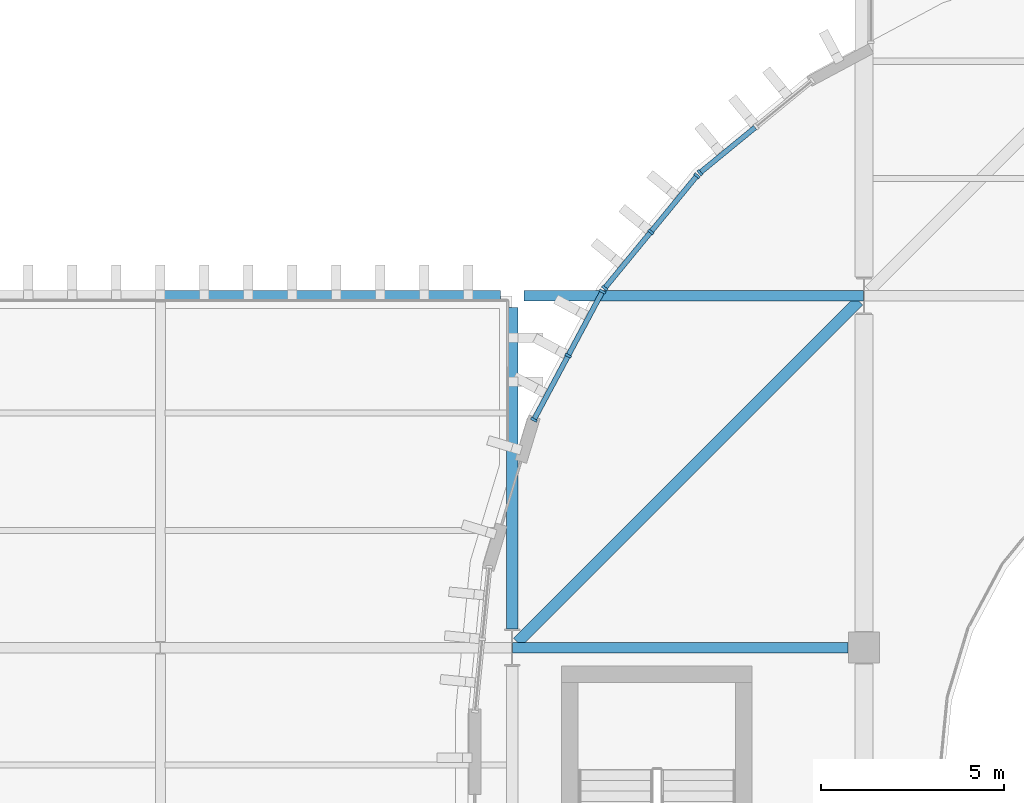
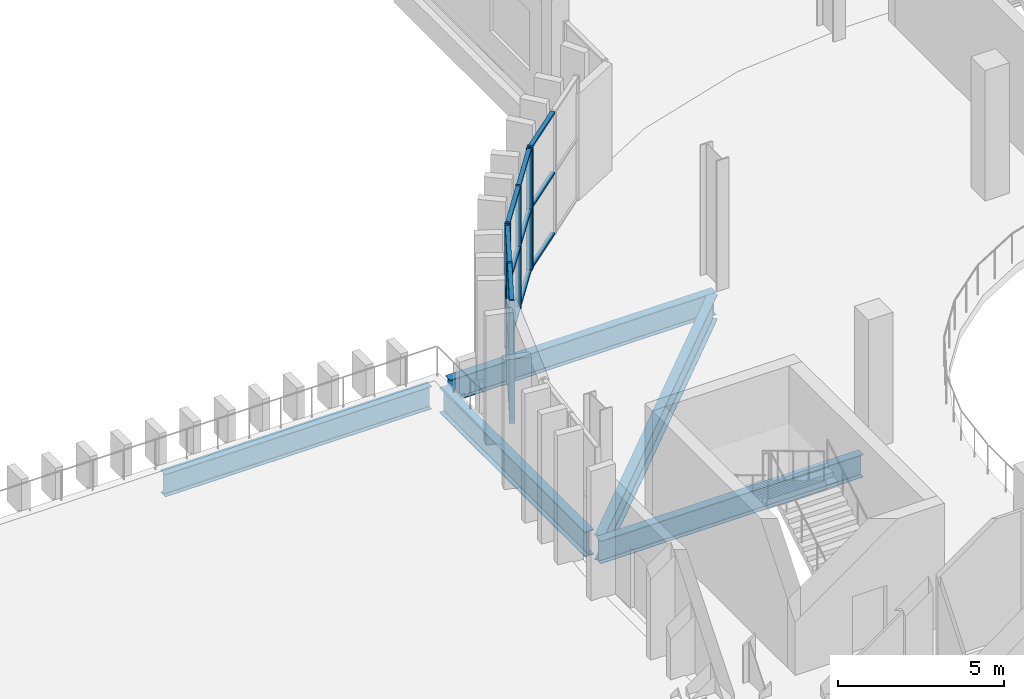
# One storey, part 31 of 99: 22 members, 5 beams, 3 elements without a shape of their own.
"""IFC4 building model written with IfcOpenShell, lengths in metres."""

from ifc_helpers import new_model, si_unit, direction, frame, origin, origin_2d, place, context, subcontext, project, spatial, rectangle, i_section, extrude, material, layer, layer_set, material_profile, profile_set, type_object, element, aggregate, save


model = new_model("IFC4")

# Units and contexts
model_context = context("Model", 3, precision=1e-05, world=origin(), true_north=direction((0.0, 1.0)))
body_context = subcontext(model_context, "Body", "Model", "MODEL_VIEW")
ifc_project = project(units=[si_unit("LENGTHUNIT", "METRE"), si_unit("AREAUNIT", "SQUARE_METRE"), si_unit("VOLUMEUNIT", "CUBIC_METRE"), si_unit("PLANEANGLEUNIT", "RADIAN"), si_unit("MASSUNIT", "GRAM", prefix="KILO")], contexts=[model_context])

# Site, building, storey
site_placement = place(None, origin())
site = spatial("IfcSite", under=ifc_project, at=site_placement, CompositionType="ELEMENT")
building_placement = place(site_placement, origin())
building = spatial("IfcBuilding", under=site, at=building_placement, Name="Caelomonte Colonnade Arena", CompositionType="ELEMENT")
storey_placement = place(building_placement, frame((0.0, 0.0, 4.800048828125)))
storey = spatial("IfcBuildingStorey", under=building, at=storey_placement, Name="L01", CompositionType="ELEMENT", Elevation=4.800048828125)

# Curtain wall, member
ifc_material_1 = material(Name="Bronze anodised aluminium and low-E glazing", Category="aluminium")
ifc_layer = layer(ifc_material_1, 0.179931640625)
ifc_layer_set = layer_set([ifc_layer], Name="Bronze anodised aluminium and low-E glazing")
curtain_wall_type = type_object("IfcCurtainWallType", Name="ENV-CW-CW-L01-44-45", PredefinedType="USERDEFINED", material=ifc_layer_set)
curtain_wall_1_placement = place(storey_placement, origin())
curtain_wall_1 = element("IfcCurtainWall", 1, at=curtain_wall_1_placement, inside=storey, type_object=curtain_wall_type, Name="L01 unitized curtain wall CW-L01-0643-1102", ObjectType="UNITIZED CURTAIN WALL", PredefinedType="USERDEFINED")
ifc_material_2 = material(Name="Bronze anodised aluminium AA6063-T6", Category="aluminium")
ifc_material_profile_1 = material_profile(ifc_material_2, rectangle(XDim=0.070068359375, YDim=0.179931640625, at=origin_2d()), Name="CWM-70X180")
ifc_profile_set_1 = profile_set([ifc_material_profile_1], Name="Bronze anodised aluminium AA6063-T6")
member_type_1 = type_object("IfcMemberType", Name="ENV-CW-MULL1", PredefinedType="MULLION", material=ifc_profile_set_1)
member_1_placement = place(storey_placement, frame((62.722900390625, 108.95751953125, 0.0), z_axis=(0.0, 0.0, 1.0), x_axis=(-0.772991751994, -0.634416071163, 0.0)))
member_1 = element("IfcMember", 2, at=member_1_placement, type_object=member_type_1, Name="CW-L01-44-45 mullion 3", PredefinedType="MULLION", context=body_context, shape_type="SweptSolid", body=[
    extrude(rectangle(XDim=0.070068359375, YDim=0.179931640625, at=origin_2d()), origin(), (0.0, 0.0, 1.0), 4.52001953125),
])

# Curtain wall, members
curtain_wall_2_placement = place(storey_placement, origin())
curtain_wall_2 = element("IfcCurtainWall", 3, at=curtain_wall_2_placement, inside=storey, type_object=curtain_wall_type, Name="L01 unitized curtain wall CW-L01-0614-1073", ObjectType="UNITIZED CURTAIN WALL", PredefinedType="USERDEFINED")
member_2_placement = place(storey_placement, frame((62.642333984375, 108.876953125, 0.0), z_axis=(0.0, 0.0, 1.0), x_axis=(-0.634416071163, -0.772991751994, 0.0)))
member_2 = element("IfcMember", 4, at=member_2_placement, type_object=member_type_1, Name="CW-L01-44-45 mullion 1", PredefinedType="MULLION", context=body_context, shape_type="SweptSolid", body=[
    extrude(rectangle(XDim=0.070068359375, YDim=0.179931640625, at=origin_2d()), origin(), (0.0, 0.0, 1.0), 4.52001953125),
])
member_3_placement = place(storey_placement, frame((61.384033203125, 107.343994140625, 0.0), z_axis=(0.0, 0.0, 1.0), x_axis=(-0.634416071163, -0.772991751994, 0.0)))
member_3 = element("IfcMember", 5, at=member_3_placement, type_object=member_type_1, Name="CW-L01-44-45 mullion 2", PredefinedType="MULLION", context=body_context, shape_type="SweptSolid", body=[
    extrude(rectangle(XDim=0.070068359375, YDim=0.179931640625, at=origin_2d()), origin(), (0.0, 0.0, 1.0), 4.52001953125),
])
member_4_placement = place(storey_placement, frame((60.125732421875, 105.810791015625, 0.0), z_axis=(0.0, 0.0, 1.0), x_axis=(-0.634416071163, -0.772991751994, 0.0)))
member_4 = element("IfcMember", 6, at=member_4_placement, type_object=member_type_1, Name="CW-L01-44-45 mullion 3", PredefinedType="MULLION", context=body_context, shape_type="SweptSolid", body=[
    extrude(rectangle(XDim=0.070068359375, YDim=0.179931640625, at=origin_2d()), origin(), (0.0, 0.0, 1.0), 4.52001953125),
])

curtain_wall_3_placement = place(storey_placement, origin())
curtain_wall_3 = element("IfcCurtainWall", 7, at=curtain_wall_3_placement, inside=storey, type_object=curtain_wall_type, Name="L01 unitized curtain wall CW-L01-0591-1040", ObjectType="UNITIZED CURTAIN WALL", PredefinedType="USERDEFINED")
member_5_placement = place(storey_placement, frame((60.0625, 105.716064453125, 0.0), z_axis=(0.0, 0.0, 1.0), x_axis=(-0.471394212466, -0.881922613642, 0.0)))
member_5 = element("IfcMember", 8, at=member_5_placement, type_object=member_type_1, Name="CW-L01-44-45 mullion 1", PredefinedType="MULLION", context=body_context, shape_type="SweptSolid", body=[
    extrude(rectangle(XDim=0.070068359375, YDim=0.179931640625, at=origin_2d()), origin(), (0.0, 0.0, 1.0), 4.52001953125),
])
member_6_placement = place(storey_placement, frame((59.12744140625, 103.966796875, 0.0), z_axis=(0.0, 0.0, 1.0), x_axis=(-0.471394212466, -0.881922613642, 0.0)))
member_6 = element("IfcMember", 9, at=member_6_placement, type_object=member_type_1, Name="CW-L01-44-45 mullion 2", PredefinedType="MULLION", context=body_context, shape_type="SweptSolid", body=[
    extrude(rectangle(XDim=0.070068359375, YDim=0.179931640625, at=origin_2d()), origin(), (0.0, 0.0, 1.0), 4.52001953125),
])
member_7_placement = place(storey_placement, frame((58.192626953125, 102.2177734375, 0.0), z_axis=(0.0, 0.0, 1.0), x_axis=(-0.471394212466, -0.881922613642, 0.0)))
member_7 = element("IfcMember", 10, at=member_7_placement, type_object=member_type_1, Name="CW-L01-44-45 mullion 3", PredefinedType="MULLION", context=body_context, shape_type="SweptSolid", body=[
    extrude(rectangle(XDim=0.070068359375, YDim=0.179931640625, at=origin_2d()), origin(), (0.0, 0.0, 1.0), 4.52001953125),
])

# Member
ifc_material_profile_2 = material_profile(ifc_material_2, rectangle(XDim=0.070068359375, YDim=0.139892578125, at=origin_2d()), Name="CWT-70X140")
ifc_profile_set_2 = profile_set([ifc_material_profile_2], Name="Bronze anodised aluminium AA6063-T6")
member_type_2 = type_object("IfcMemberType", Name="ENV-CW-TRAN1", PredefinedType="USERDEFINED", material=ifc_profile_set_2)
member_8_placement = place(storey_placement, frame((64.22900390625, 110.193603515625, 0.034912109375), z_axis=(-0.772989936128, -0.634418283662, 0.0), x_axis=(0.0, 0.0, 1.0)))
member_8 = element("IfcMember", 11, at=member_8_placement, type_object=member_type_2, Name="CW-L01-44-45 transom 2.1", ObjectType="TRANSOM", PredefinedType="USERDEFINED", context=body_context, shape_type="SweptSolid", body=[
    extrude(rectangle(XDim=0.070068359375, YDim=0.139892578125, at=origin_2d()), origin(), (0.0, 0.0, 1.0), 1.913330078125),
])

member_9_placement = place(storey_placement, frame((64.22900390625, 110.193603515625, 2.260009765625), z_axis=(-0.772989936128, -0.634418283662, 0.0), x_axis=(0.0, 0.0, 1.0)))
member_9 = element("IfcMember", 12, at=member_9_placement, type_object=member_type_2, Name="CW-L01-44-45 transom 2.2", ObjectType="TRANSOM", PredefinedType="USERDEFINED", context=body_context, shape_type="SweptSolid", body=[
    extrude(rectangle(XDim=0.070068359375, YDim=0.139892578125, at=origin_2d()), origin(), (0.0, 0.0, 1.0), 1.913330078125),
])

member_10_placement = place(storey_placement, frame((64.22900390625, 110.193603515625, 4.48486328125), z_axis=(-0.772989936128, -0.634418283662, 0.0), x_axis=(0.0, 0.0, 1.0)))
member_10 = element("IfcMember", 13, at=member_10_placement, type_object=member_type_2, Name="CW-L01-44-45 transom 2.3", ObjectType="TRANSOM", PredefinedType="USERDEFINED", context=body_context, shape_type="SweptSolid", body=[
    extrude(rectangle(XDim=0.070068359375, YDim=0.139892578125, at=origin_2d()), origin(), (0.0, 0.0, 1.0), 1.913330078125),
])

aggregate(curtain_wall_1, [member_1, member_8, member_9, member_10])

member_11_placement = place(storey_placement, frame((62.6201171875, 108.85009765625, 0.034912109375), z_axis=(-0.634355713729, -0.773041285094, 0.0), x_axis=(0.0, 0.0, 1.0)))
member_11 = element("IfcMember", 14, at=member_11_placement, type_object=member_type_2, Name="CW-L01-44-45 transom 1.1", ObjectType="TRANSOM", PredefinedType="USERDEFINED", context=body_context, shape_type="SweptSolid", body=[
    extrude(rectangle(XDim=0.070068359375, YDim=0.139892578125, at=origin_2d()), origin(), (0.0, 0.0, 1.0), 1.91357421875),
])

member_12_placement = place(storey_placement, frame((62.6201171875, 108.85009765625, 2.260009765625), z_axis=(-0.634355713729, -0.773041285094, 0.0), x_axis=(0.0, 0.0, 1.0)))
member_12 = element("IfcMember", 15, at=member_12_placement, type_object=member_type_2, Name="CW-L01-44-45 transom 1.2", ObjectType="TRANSOM", PredefinedType="USERDEFINED", context=body_context, shape_type="SweptSolid", body=[
    extrude(rectangle(XDim=0.070068359375, YDim=0.139892578125, at=origin_2d()), origin(), (0.0, 0.0, 1.0), 1.91357421875),
])

member_13_placement = place(storey_placement, frame((62.6201171875, 108.85009765625, 4.48486328125), z_axis=(-0.634355713729, -0.773041285094, 0.0), x_axis=(0.0, 0.0, 1.0)))
member_13 = element("IfcMember", 16, at=member_13_placement, type_object=member_type_2, Name="CW-L01-44-45 transom 1.3", ObjectType="TRANSOM", PredefinedType="USERDEFINED", context=body_context, shape_type="SweptSolid", body=[
    extrude(rectangle(XDim=0.070068359375, YDim=0.139892578125, at=origin_2d()), origin(), (0.0, 0.0, 1.0), 1.91357421875),
])

member_14_placement = place(storey_placement, frame((61.36181640625, 107.31689453125, 0.034912109375), z_axis=(-0.634418283662, -0.772989936128, 0.0), x_axis=(0.0, 0.0, 1.0)))
member_14 = element("IfcMember", 17, at=member_14_placement, type_object=member_type_2, Name="CW-L01-44-45 transom 2.1", ObjectType="TRANSOM", PredefinedType="USERDEFINED", context=body_context, shape_type="SweptSolid", body=[
    extrude(rectangle(XDim=0.070068359375, YDim=0.139892578125, at=origin_2d()), origin(), (0.0, 0.0, 1.0), 1.913330078125),
])

member_15_placement = place(storey_placement, frame((61.36181640625, 107.31689453125, 2.260009765625), z_axis=(-0.634418283662, -0.772989936128, 0.0), x_axis=(0.0, 0.0, 1.0)))
member_15 = element("IfcMember", 18, at=member_15_placement, type_object=member_type_2, Name="CW-L01-44-45 transom 2.2", ObjectType="TRANSOM", PredefinedType="USERDEFINED", context=body_context, shape_type="SweptSolid", body=[
    extrude(rectangle(XDim=0.070068359375, YDim=0.139892578125, at=origin_2d()), origin(), (0.0, 0.0, 1.0), 1.913330078125),
])

member_16_placement = place(storey_placement, frame((61.36181640625, 107.31689453125, 4.48486328125), z_axis=(-0.634418283662, -0.772989936128, 0.0), x_axis=(0.0, 0.0, 1.0)))
member_16 = element("IfcMember", 19, at=member_16_placement, type_object=member_type_2, Name="CW-L01-44-45 transom 2.3", ObjectType="TRANSOM", PredefinedType="USERDEFINED", context=body_context, shape_type="SweptSolid", body=[
    extrude(rectangle(XDim=0.070068359375, YDim=0.139892578125, at=origin_2d()), origin(), (0.0, 0.0, 1.0), 1.913330078125),
])

aggregate(curtain_wall_2, [member_2, member_3, member_4, member_11, member_12, member_13, member_14, member_15, member_16])

member_17_placement = place(storey_placement, frame((60.0458984375, 105.68505859375, 0.034912109375), z_axis=(-0.471396095589, -0.881921607096, 0.0), x_axis=(0.0, 0.0, 1.0)))
member_17 = element("IfcMember", 20, at=member_17_placement, type_object=member_type_2, Name="CW-L01-44-45 transom 1.1", ObjectType="TRANSOM", PredefinedType="USERDEFINED", context=body_context, shape_type="SweptSolid", body=[
    extrude(rectangle(XDim=0.070068359375, YDim=0.139892578125, at=origin_2d()), origin(), (0.0, 0.0, 1.0), 1.9130859375),
])

member_18_placement = place(storey_placement, frame((60.0458984375, 105.68505859375, 2.260009765625), z_axis=(-0.471396095589, -0.881921607096, 0.0), x_axis=(0.0, 0.0, 1.0)))
member_18 = element("IfcMember", 21, at=member_18_placement, type_object=member_type_2, Name="CW-L01-44-45 transom 1.2", ObjectType="TRANSOM", PredefinedType="USERDEFINED", context=body_context, shape_type="SweptSolid", body=[
    extrude(rectangle(XDim=0.070068359375, YDim=0.139892578125, at=origin_2d()), origin(), (0.0, 0.0, 1.0), 1.9130859375),
])

member_19_placement = place(storey_placement, frame((60.0458984375, 105.68505859375, 4.48486328125), z_axis=(-0.471396095589, -0.881921607096, 0.0), x_axis=(0.0, 0.0, 1.0)))
member_19 = element("IfcMember", 22, at=member_19_placement, type_object=member_type_2, Name="CW-L01-44-45 transom 1.3", ObjectType="TRANSOM", PredefinedType="USERDEFINED", context=body_context, shape_type="SweptSolid", body=[
    extrude(rectangle(XDim=0.070068359375, YDim=0.139892578125, at=origin_2d()), origin(), (0.0, 0.0, 1.0), 1.9130859375),
])

member_20_placement = place(storey_placement, frame((59.111083984375, 103.93603515625, 0.034912109375), z_axis=(-0.471442288799, -0.881896914799, 0.0), x_axis=(0.0, 0.0, 1.0)))
member_20 = element("IfcMember", 23, at=member_20_placement, type_object=member_type_2, Name="CW-L01-44-45 transom 2.1", ObjectType="TRANSOM", PredefinedType="USERDEFINED", context=body_context, shape_type="SweptSolid", body=[
    extrude(rectangle(XDim=0.070068359375, YDim=0.139892578125, at=origin_2d()), origin(), (0.0, 0.0, 1.0), 1.91357421875),
])

member_21_placement = place(storey_placement, frame((59.111083984375, 103.93603515625, 2.260009765625), z_axis=(-0.471442288799, -0.881896914799, 0.0), x_axis=(0.0, 0.0, 1.0)))
member_21 = element("IfcMember", 24, at=member_21_placement, type_object=member_type_2, Name="CW-L01-44-45 transom 2.2", ObjectType="TRANSOM", PredefinedType="USERDEFINED", context=body_context, shape_type="SweptSolid", body=[
    extrude(rectangle(XDim=0.070068359375, YDim=0.139892578125, at=origin_2d()), origin(), (0.0, 0.0, 1.0), 1.91357421875),
])

member_22_placement = place(storey_placement, frame((59.111083984375, 103.93603515625, 4.48486328125), z_axis=(-0.471442288799, -0.881896914799, 0.0), x_axis=(0.0, 0.0, 1.0)))
member_22 = element("IfcMember", 25, at=member_22_placement, type_object=member_type_2, Name="CW-L01-44-45 transom 2.3", ObjectType="TRANSOM", PredefinedType="USERDEFINED", context=body_context, shape_type="SweptSolid", body=[
    extrude(rectangle(XDim=0.070068359375, YDim=0.139892578125, at=origin_2d()), origin(), (0.0, 0.0, 1.0), 1.91357421875),
])

aggregate(curtain_wall_3, [member_5, member_6, member_7, member_17, member_18, member_19, member_20, member_21, member_22])

# Beams
ifc_material_3 = material(Name="Wide-flange steel ASTM A992 Grade 50", Category="steel")
ifc_material_profile_3 = material_profile(ifc_material_3, i_section(OverallWidth=0.307861328125, OverallDepth=0.927001953125, WebThickness=0.019287109375, FlangeThickness=0.031982421875, FilletRadius=0.020263671875, at=origin_2d()), Name="W36X194")
ifc_profile_set_3 = profile_set([ifc_material_profile_3], Name="Wide-flange steel ASTM A992 Grade 50")
beam_type_1 = type_object("IfcBeamType", Name="STR-BM-EAVES2", PredefinedType="SPANDREL", material=ifc_profile_set_3)
beam_1_placement = place(storey_placement, frame((57.60009765625, 96.5126953125, -0.763427734375), z_axis=(0.0, 1.0, 0.0), x_axis=(-1.0, 0.0, 0.0)))
element("IfcBeam", 26, at=beam_1_placement, inside=storey, type_object=beam_type_1, Name="L01 girder BMY-L01-0576-0960", PredefinedType="SPANDREL", context=body_context, shape_type="SweptSolid", body=[
    extrude(i_section(OverallWidth=0.307861328125, OverallDepth=0.927001953125, WebThickness=0.019287109375, FlangeThickness=0.031982421875, FilletRadius=0.020263671875, at=origin_2d()), origin(), (0.0, 0.0, 1.0), 8.770263671875),
])
beam_2_placement = place(storey_placement, frame((67.0546875, 105.45458984375, -0.763427734375), z_axis=(-0.707106781187, -0.707106781187, 0.0), x_axis=(0.707106781187, -0.707106781187, 0.0)))
element("IfcBeam", 27, at=beam_2_placement, inside=storey, type_object=beam_type_1, Name="L01 drum corner ring girder 8", PredefinedType="SPANDREL", context=body_context, shape_type="SweptSolid", body=[
    extrude(i_section(OverallWidth=0.307861328125, OverallDepth=0.927001953125, WebThickness=0.019287109375, FlangeThickness=0.031982421875, FilletRadius=0.020263671875, at=origin_2d()), origin(), (0.0, 0.0, 1.0), 13.165283203125),
])
ifc_material_profile_4 = material_profile(ifc_material_3, i_section(OverallWidth=0.2919921875, OverallDepth=0.835693359375, WebThickness=0.013916015625, FlangeThickness=0.018798828125, FilletRadius=0.017822265625, at=origin_2d()), Name="W33X118")
ifc_profile_set_4 = profile_set([ifc_material_profile_4], Name="Wide-flange steel ASTM A992 Grade 50")
beam_type_2 = type_object("IfcBeamType", Name="STR-BM-GIRD33B", PredefinedType="BEAM", material=ifc_profile_set_4)
beam_3_placement = place(storey_placement, frame((57.615478515625, 96.0, -0.7177734375), z_axis=(1.0, 0.0, 0.0), x_axis=(0.0, 1.0, 0.0)))
element("IfcBeam", 28, at=beam_3_placement, inside=storey, type_object=beam_type_2, Name="L01 girder BMX-L01-0576-0960", PredefinedType="BEAM", context=body_context, shape_type="SweptSolid", body=[
    extrude(i_section(OverallWidth=0.2919921875, OverallDepth=0.835693359375, WebThickness=0.013916015625, FlangeThickness=0.018798828125, FilletRadius=0.017822265625, at=origin_2d()), origin(), (0.0, 0.0, 1.0), 9.142578125),
])
beam_4_placement = place(storey_placement, frame((48.005615234375, 105.60009765625, -0.7177734375), z_axis=(1.0, 0.0, 0.0), x_axis=(0.0, 1.0, 0.0)))
element("IfcBeam", 29, at=beam_4_placement, inside=storey, type_object=beam_type_2, Name="L01 girder BMX-L01-0480-1056", PredefinedType="BEAM", context=body_context, shape_type="SweptSolid", body=[
    extrude(i_section(OverallWidth=0.2919921875, OverallDepth=0.835693359375, WebThickness=0.013916015625, FlangeThickness=0.018798828125, FilletRadius=0.017822265625, at=origin_2d()), origin(), (0.0, 0.0, 1.0), 9.27734375),
])
beam_5_placement = place(storey_placement, frame((57.9169921875, 105.60009765625, -0.7177734375), z_axis=(1.0, 0.0, 0.0), x_axis=(0.0, 1.0, 0.0)))
element("IfcBeam", 30, at=beam_5_placement, inside=storey, type_object=beam_type_2, Name="L01 girder BMX-L01-0576-1056", PredefinedType="BEAM", context=body_context, shape_type="SweptSolid", body=[
    extrude(i_section(OverallWidth=0.2919921875, OverallDepth=0.835693359375, WebThickness=0.013916015625, FlangeThickness=0.018798828125, FilletRadius=0.017822265625, at=origin_2d()), origin(), (0.0, 0.0, 1.0), 9.267578125),
])

save(model, "model.ifc")
